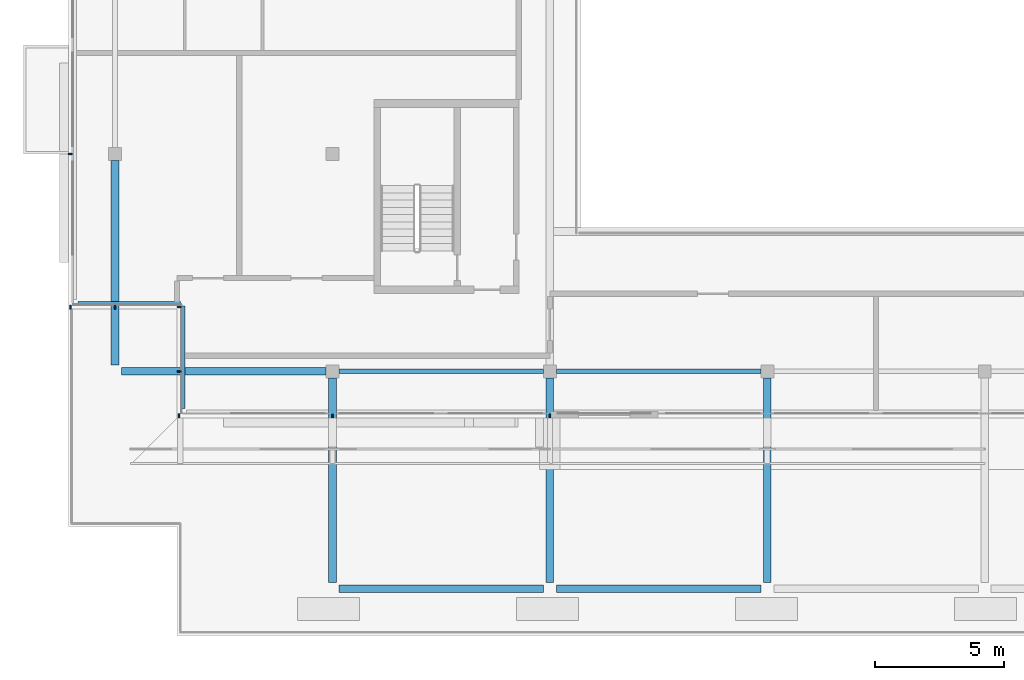
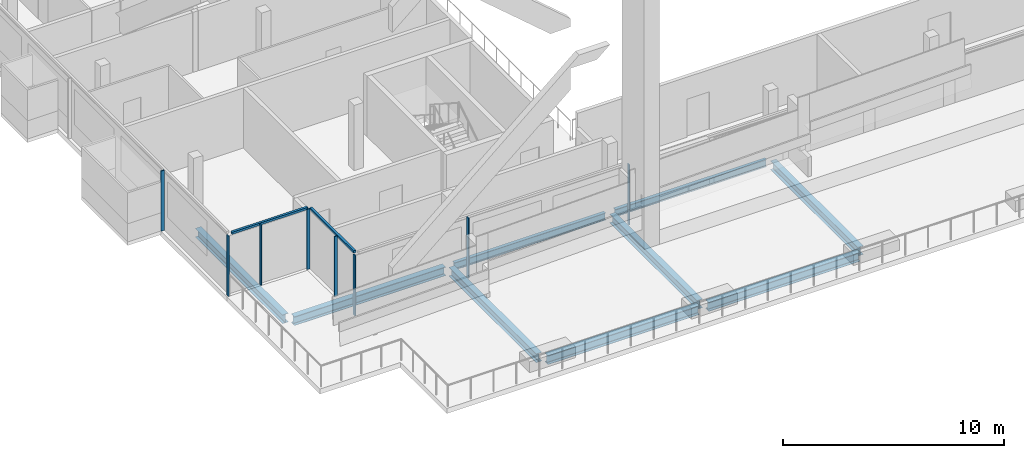
# One storey, part 2 of 22: 10 members, 9 beams, 4 elements without a shape of their own.
"""IFC4 building model written with IfcOpenShell, lengths in metres."""

from ifc_helpers import new_model, si_unit, direction, frame, origin, origin_2d, place, context, subcontext, project, spatial, rectangle, i_section, extrude, material, material_profile, profile_set, type_object, element, aggregate, save


model = new_model("IFC4")

# Units and contexts
model_context = context("Model", 3, precision=1e-05, world=origin(), true_north=direction((0.0, 1.0)))
body_context = subcontext(model_context, "Body", "Model", "MODEL_VIEW")
ifc_project = project(units=[si_unit("LENGTHUNIT", "METRE"), si_unit("AREAUNIT", "SQUARE_METRE"), si_unit("VOLUMEUNIT", "CUBIC_METRE"), si_unit("PLANEANGLEUNIT", "RADIAN"), si_unit("MASSUNIT", "GRAM", prefix="KILO")], contexts=[model_context])

# Site, building, storey
site_placement = place(None, origin())
site = spatial("IfcSite", under=ifc_project, at=site_placement, CompositionType="ELEMENT")
building_placement = place(site_placement, origin())
building = spatial("IfcBuilding", under=site, at=building_placement, Name="Saffron Gate Tower", CompositionType="ELEMENT")
storey_placement = place(building_placement, frame((0.0, 0.0, 285.14990234375)))
storey = spatial("IfcBuildingStorey", under=building, at=storey_placement, Name="L69", CompositionType="ELEMENT", Elevation=285.14990234375)

# Beams
ifc_material_1 = material(Name="Structural steel S355", Category="steel")
ifc_material_profile_1 = material_profile(ifc_material_1, i_section(OverallWidth=0.179931640625, OverallDepth=0.39990234375, WebThickness=0.008544921875, FlangeThickness=0.013427734375, FilletRadius=0.02099609375, at=origin_2d()))
ifc_profile_set_1 = profile_set([ifc_material_profile_1], Name="Structural steel S355")
beam_type_1 = type_object("IfcBeamType", Name="B5 IPE 400", PredefinedType="SPANDREL", material=ifc_profile_set_1)
for number, where, z_axis, x_axis, name in (
    (1, (66.85009765625, 40.199951171875, -0.47998046875), (1.0, 0.0, 0.0), (0.0, 1.0, 0.0), "B5 SPANDREL BEAM"),
    (2, (75.25, 40.199951171875, -0.47998046875), (1.0, 0.0, 0.0), (0.0, 1.0, 0.0), "B5 SPANDREL BEAM"),
):
    element("IfcBeam", number, at=place(storey_placement, frame(where, z_axis=z_axis, x_axis=x_axis)), inside=storey, type_object=beam_type_1, Name=name, PredefinedType="SPANDREL", context=body_context, shape_type="SweptSolid", body=[
        extrude(i_section(OverallWidth=0.179931640625, OverallDepth=0.39990234375, WebThickness=0.008544921875, FlangeThickness=0.013427734375, FilletRadius=0.02099609375, at=origin_2d()), origin(), (0.0, 0.0, 1.0), 7.89990234375),
    ])
ifc_material_profile_2 = material_profile(ifc_material_1, i_section(OverallWidth=0.300048828125, OverallDepth=0.489990234375, WebThickness=0.011962890625, FlangeThickness=0.02294921875, FilletRadius=0.027099609375, at=origin_2d()))
ifc_profile_set_2 = profile_set([ifc_material_profile_2], Name="Structural steel S355")
beam_type_2 = type_object("IfcBeamType", Name="B8 HEA 500", PredefinedType="BEAM", material=ifc_profile_set_2)
for number, where, z_axis, x_axis, name in (
    (3, (58.449951171875, 40.199951171875, -0.52490234375), (1.0, 0.0, 0.0), (0.0, 1.0, 0.0), "B8 TERRACE BEAM"),
    (4, (58.199951171875, 40.449951171875, -0.52490234375), (0.0, 1.0, 0.0), (-1.0, 0.0, 0.0), "B8 TERRACE BEAM"),
):
    element("IfcBeam", number, at=place(storey_placement, frame(where, z_axis=z_axis, x_axis=x_axis)), inside=storey, type_object=beam_type_2, Name=name, PredefinedType="BEAM", context=body_context, shape_type="SweptSolid", body=[
        extrude(i_section(OverallWidth=0.300048828125, OverallDepth=0.489990234375, WebThickness=0.011962890625, FlangeThickness=0.02294921875, FilletRadius=0.027099609375, at=origin_2d()), origin(), (0.0, 0.0, 1.0), 7.900146484375),
    ])
for number, where, z_axis, x_axis, name in (
    (5, (66.85009765625, 31.800048828125, -0.52490234375), (1.0, 0.0, 0.0), (0.0, 1.0, 0.0), "B8 TERRACE BEAM"),
    (6, (66.60009765625, 32.050048828125, -0.52490234375), (0.0, 1.0, 0.0), (-1.0, 0.0, 0.0), "B8 TERRACE BEAM"),
    (7, (75.25, 31.800048828125, -0.52490234375), (1.0, 0.0, 0.0), (0.0, 1.0, 0.0), "B8 TERRACE BEAM"),
    (8, (75.0, 32.050048828125, -0.52490234375), (0.0, 1.0, 0.0), (-1.0, 0.0, 0.0), "B8 TERRACE BEAM"),
    (9, (83.39990234375, 32.050048828125, -0.52490234375), (0.0, 1.0, 0.0), (-1.0, 0.0, 0.0), "B8 TERRACE BEAM"),
):
    element("IfcBeam", number, at=place(storey_placement, frame(where, z_axis=z_axis, x_axis=x_axis)), inside=storey, type_object=beam_type_2, Name=name, PredefinedType="BEAM", context=body_context, shape_type="SweptSolid", body=[
        extrude(i_section(OverallWidth=0.300048828125, OverallDepth=0.489990234375, WebThickness=0.011962890625, FlangeThickness=0.02294921875, FilletRadius=0.027099609375, at=origin_2d()), origin(), (0.0, 0.0, 1.0), 7.89990234375),
    ])

# Curtain wall, members
ifc_material_2 = material(Name="Aluminium, bronze anodised", Category="aluminium")
curtain_wall_type_1 = type_object("IfcCurtainWallType", Name="CWS1 curtain wall front facade", PredefinedType="NOTDEFINED", material=ifc_material_2)
curtain_wall_1_placement = place(storey_placement, origin())
curtain_wall_1 = element("IfcCurtainWall", 10, at=curtain_wall_1_placement, inside=storey, type_object=curtain_wall_type_1, Name="CWS1 run 1", PredefinedType="NOTDEFINED")
ifc_material_profile_3 = material_profile(ifc_material_2, rectangle(XDim=0.159912109375, YDim=0.06005859375, at=origin_2d()))
ifc_profile_set_3 = profile_set([ifc_material_profile_3], Name="Aluminium, bronze anodised")
member_type_1 = type_object("IfcMemberType", Name="CWS1 mullion 60x160", PredefinedType="MULLION", material=ifc_profile_set_3)
member_1_placement = place(storey_placement, frame((60.679931640625, 38.47998046875, 0.0), z_axis=(0.0, 0.0, 1.0), x_axis=(0.0, 1.0, 0.0)))
member_1 = element("IfcMember", 11, at=member_1_placement, type_object=member_type_1, Name="CWS1 mullion 1", PredefinedType="MULLION", context=body_context, shape_type="SweptSolid", body=[
    extrude(rectangle(XDim=0.159912109375, YDim=0.06005859375, at=origin_2d()), origin(), (0.0, 0.0, 1.0), 3.320068359375),
])
member_2_placement = place(storey_placement, frame((66.60009765625, 38.47998046875, 0.0), z_axis=(0.0, 0.0, 1.0), x_axis=(0.0, 1.0, 0.0)))
member_2 = element("IfcMember", 12, at=member_2_placement, type_object=member_type_1, Name="CWS1 mullion 2", PredefinedType="MULLION", context=body_context, shape_type="SweptSolid", body=[
    extrude(rectangle(XDim=0.159912109375, YDim=0.06005859375, at=origin_2d()), origin(), (0.0, 0.0, 1.0), 3.320068359375),
])
member_3_placement = place(storey_placement, frame((75.0, 38.47998046875, 0.0), z_axis=(0.0, 0.0, 1.0), x_axis=(0.0, 1.0, 0.0)))
member_3 = element("IfcMember", 13, at=member_3_placement, type_object=member_type_1, Name="CWS1 mullion 3", PredefinedType="MULLION", context=body_context, shape_type="SweptSolid", body=[
    extrude(rectangle(XDim=0.159912109375, YDim=0.06005859375, at=origin_2d()), origin(), (0.0, 0.0, 1.0), 3.320068359375),
])
aggregate(curtain_wall_1, [member_1, member_2, member_3])

# Curtain wall, member
curtain_wall_type_2 = type_object("IfcCurtainWallType", Name="CWS2 curtain wall side facades", PredefinedType="NOTDEFINED", material=ifc_material_2)
curtain_wall_2_placement = place(storey_placement, origin())
curtain_wall_2 = element("IfcCurtainWall", 14, at=curtain_wall_2_placement, inside=storey, type_object=curtain_wall_type_2, Name="CWS2 run 10", PredefinedType="NOTDEFINED")
ifc_material_profile_4 = material_profile(ifc_material_2, rectangle(XDim=0.159912109375, YDim=0.06005859375, at=origin_2d()))
ifc_profile_set_4 = profile_set([ifc_material_profile_4], Name="Aluminium, bronze anodised")
member_type_2 = type_object("IfcMemberType", Name="CWS2 mullion 60x160", PredefinedType="MULLION", material=ifc_profile_set_4)
member_4_placement = place(storey_placement, frame((56.47998046875, 48.60009765625, 0.0), z_axis=(0.0, 0.0, 1.0), x_axis=(1.0, 0.0, 0.0)))
member_4 = element("IfcMember", 15, at=member_4_placement, type_object=member_type_2, Name="CWS2 mullion 4", PredefinedType="MULLION", context=body_context, shape_type="SweptSolid", body=[
    extrude(rectangle(XDim=0.159912109375, YDim=0.06005859375, at=origin_2d()), origin(), (0.0, 0.0, 1.0), 3.320068359375),
])
aggregate(curtain_wall_2, [member_4])

curtain_wall_type_3 = type_object("IfcCurtainWallType", Name="CWS4 curtain wall corner returns", PredefinedType="NOTDEFINED", material=ifc_material_2)
curtain_wall_3_placement = place(storey_placement, origin())
curtain_wall_3 = element("IfcCurtainWall", 16, at=curtain_wall_3_placement, inside=storey, type_object=curtain_wall_type_3, Name="CWS4 run 11", PredefinedType="NOTDEFINED")
ifc_material_profile_5 = material_profile(ifc_material_2, rectangle(XDim=0.1201171875, YDim=0.1201171875, at=origin_2d()))
ifc_profile_set_5 = profile_set([ifc_material_profile_5], Name="Aluminium, bronze anodised")
member_type_3 = type_object("IfcMemberType", Name="CWS4 head transom", PredefinedType="USERDEFINED", material=ifc_profile_set_5)
member_5_placement = place(storey_placement, frame((56.76806640625, 42.847900390625, 3.260009765625), z_axis=(1.0, 0.0, 0.0), x_axis=(0.0, 1.0, 0.0)))
member_5 = element("IfcMember", 17, at=member_5_placement, type_object=member_type_3, Name="CWS4 head transom", ObjectType="TRANSOM", PredefinedType="USERDEFINED", context=body_context, shape_type="SweptSolid", body=[
    extrude(rectangle(XDim=0.1201171875, YDim=0.1201171875, at=origin_2d()), origin(), (0.0, 0.0, 1.0), 3.9599609375),
])

curtain_wall_4_placement = place(storey_placement, origin())
curtain_wall_4 = element("IfcCurtainWall", 18, at=curtain_wall_4_placement, inside=storey, type_object=curtain_wall_type_3, Name="CWS4 run 12", PredefinedType="NOTDEFINED")
member_6_placement = place(storey_placement, frame((60.847900390625, 42.72802734375, 3.260009765625), z_axis=(0.0, -1.0, 0.0), x_axis=(1.0, 0.0, 0.0)))
member_6 = element("IfcMember", 19, at=member_6_placement, type_object=member_type_3, Name="CWS4 head transom", ObjectType="TRANSOM", PredefinedType="USERDEFINED", context=body_context, shape_type="SweptSolid", body=[
    extrude(rectangle(XDim=0.1201171875, YDim=0.1201171875, at=origin_2d()), origin(), (0.0, 0.0, 1.0), 3.9599609375),
])

# Member
ifc_material_profile_6 = material_profile(ifc_material_2, rectangle(XDim=0.159912109375, YDim=0.06005859375, at=origin_2d()))
ifc_profile_set_6 = profile_set([ifc_material_profile_6], Name="Aluminium, bronze anodised")
member_type_4 = type_object("IfcMemberType", Name="CWS4 mullion 60x160", PredefinedType="MULLION", material=ifc_profile_set_6)
member_7_placement = place(storey_placement, frame((56.47998046875, 42.679931640625, 0.0), z_axis=(0.0, 0.0, 1.0), x_axis=(0.0, 1.0, 0.0)))
member_7 = element("IfcMember", 20, at=member_7_placement, type_object=member_type_4, Name="CWS4 mullion 1", PredefinedType="MULLION", context=body_context, shape_type="SweptSolid", body=[
    extrude(rectangle(XDim=0.159912109375, YDim=0.06005859375, at=origin_2d()), origin(), (0.0, 0.0, 1.0), 3.320068359375),
])

member_8_placement = place(storey_placement, frame((58.199951171875, 42.679931640625, 0.0), z_axis=(0.0, 0.0, 1.0), x_axis=(0.0, 1.0, 0.0)))
member_8 = element("IfcMember", 21, at=member_8_placement, type_object=member_type_4, Name="CWS4 mullion 2", PredefinedType="MULLION", context=body_context, shape_type="SweptSolid", body=[
    extrude(rectangle(XDim=0.159912109375, YDim=0.06005859375, at=origin_2d()), origin(), (0.0, 0.0, 1.0), 3.320068359375),
])

aggregate(curtain_wall_3, [member_7, member_8, member_5])

member_9_placement = place(storey_placement, frame((60.679931640625, 42.679931640625, 0.0), z_axis=(0.0, 0.0, 1.0), x_axis=(1.0, 0.0, 0.0)))
member_9 = element("IfcMember", 22, at=member_9_placement, type_object=member_type_4, Name="CWS4 mullion 1", PredefinedType="MULLION", context=body_context, shape_type="SweptSolid", body=[
    extrude(rectangle(XDim=0.159912109375, YDim=0.06005859375, at=origin_2d()), origin(), (0.0, 0.0, 1.0), 3.320068359375),
])

member_10_placement = place(storey_placement, frame((60.679931640625, 40.199951171875, 0.0), z_axis=(0.0, 0.0, 1.0), x_axis=(1.0, 0.0, 0.0)))
member_10 = element("IfcMember", 23, at=member_10_placement, type_object=member_type_4, Name="CWS4 mullion 2", PredefinedType="MULLION", context=body_context, shape_type="SweptSolid", body=[
    extrude(rectangle(XDim=0.159912109375, YDim=0.06005859375, at=origin_2d()), origin(), (0.0, 0.0, 1.0), 3.320068359375),
])

aggregate(curtain_wall_4, [member_9, member_10, member_6])

save(model, "model.ifc")
